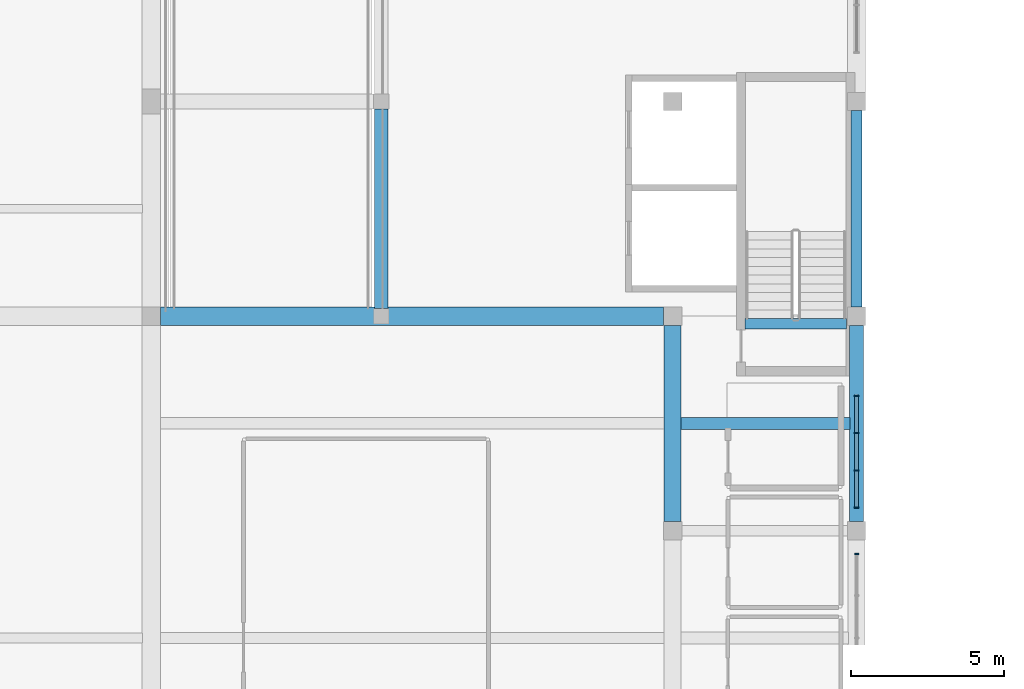
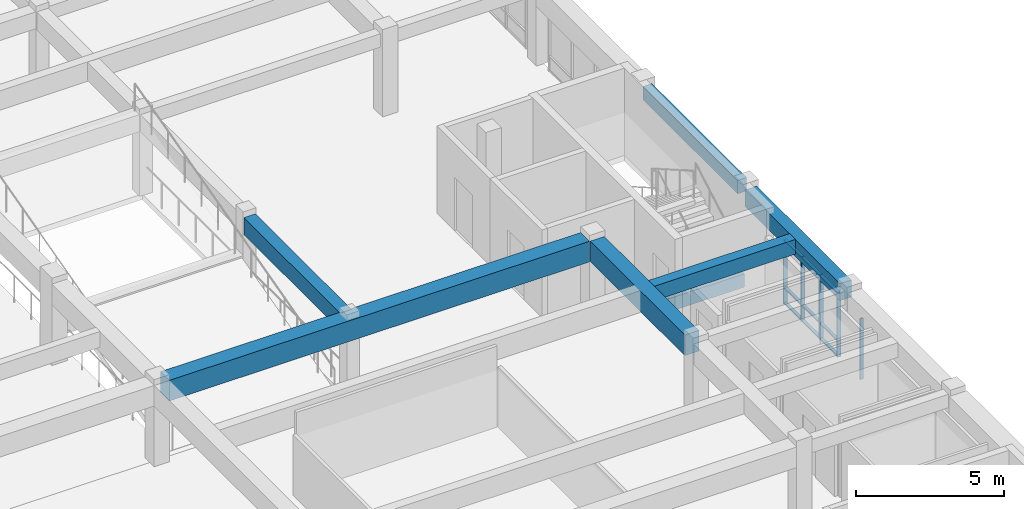
# One storey, part 12 of 33: 14 members, 7 beams, 2 elements without a shape of their own.
"""IFC4 building model written with IfcOpenShell, lengths in metres."""

from ifc_helpers import new_model, si_unit, direction, frame, origin, origin_2d, place, context, subcontext, project, spatial, rectangle, extrude, material, material_profile, profile_set, type_object, element, aggregate, save


model = new_model("IFC4")

# Units and contexts
model_context = context("Model", 3, precision=1e-05, world=origin(), true_north=direction((0.0, 1.0)))
body_context = subcontext(model_context, "Body", "Model", "MODEL_VIEW")
ifc_project = project(units=[si_unit("LENGTHUNIT", "METRE"), si_unit("AREAUNIT", "SQUARE_METRE"), si_unit("VOLUMEUNIT", "CUBIC_METRE"), si_unit("PLANEANGLEUNIT", "RADIAN"), si_unit("MASSUNIT", "GRAM", prefix="KILO")], contexts=[model_context])

# Site, building, storey
site_placement = place(None, origin())
site = spatial("IfcSite", under=ifc_project, at=site_placement, CompositionType="ELEMENT")
building_placement = place(site_placement, origin())
building = spatial("IfcBuilding", under=site, at=building_placement, Name="Larkveld Mobility Hub", CompositionType="ELEMENT")
storey_placement = place(building_placement, frame((0.0, 0.0, 15.60009765625)))
storey = spatial("IfcBuildingStorey", under=building, at=storey_placement, Name="L04", CompositionType="ELEMENT", Elevation=15.60009765625)

# Beams
ifc_material_1 = material(Name="Precast concrete C50/60", Category="concrete")
ifc_material_profile_1 = material_profile(ifc_material_1, rectangle(XDim=0.60009765625, YDim=0.85009765625, at=origin_2d()), Name="PC ITB 600x850")
ifc_profile_set_1 = profile_set([ifc_material_profile_1], Name="Precast concrete C50/60")
beam_type_1 = type_object("IfcBeamType", Name="BM-ITB6085", PredefinedType="T_BEAM", material=ifc_profile_set_1)
beam_1_placement = place(storey_placement, frame((129.300048828125, 56.0, 2.934814453125), z_axis=(1.0, 0.0, 0.0), x_axis=(0.0, 1.0, 0.0)))
element("IfcBeam", 1, at=beam_1_placement, inside=storey, type_object=beam_type_1, Name="Primary E-W Girder L04-0883", PredefinedType="T_BEAM", context=body_context, shape_type="SweptSolid", body=[
    extrude(rectangle(XDim=0.60009765625, YDim=0.85009765625, at=origin_2d()), origin(), (0.0, 0.0, 1.0), 16.39990234375),
])
ifc_material_2 = material(Name="Concrete C40/50", Category="concrete")
ifc_material_profile_2 = material_profile(ifc_material_2, rectangle(XDim=0.35009765625, YDim=0.550048828125, at=origin_2d()), Name="RC BM 350x550")
ifc_profile_set_2 = profile_set([ifc_material_profile_2], Name="Concrete C40/50")
beam_type_2 = type_object("IfcBeamType", Name="BM-RC3555", PredefinedType="BEAM", material=ifc_profile_set_2)
beam_2_placement = place(storey_placement, frame((152.0, 56.300048828125, 3.0849609375), z_axis=(0.0, 1.0, 0.0), x_axis=(-1.0, 0.0, 0.0)))
element("IfcBeam", 2, at=beam_2_placement, inside=storey, type_object=beam_type_2, Name="Primary N-S Girder L04-0937", PredefinedType="BEAM", context=body_context, shape_type="SweptSolid", body=[
    extrude(rectangle(XDim=0.35009765625, YDim=0.550048828125, at=origin_2d()), origin(), (0.0, 0.0, 1.0), 6.39990234375),
])
beam_3_placement = place(storey_placement, frame((148.360107421875, 55.75, -0.27001953125), z_axis=(1.0, 0.0, 0.0), x_axis=(0.0, 1.0, 0.0)))
element("IfcBeam", 3, at=beam_3_placement, inside=storey, type_object=beam_type_2, Name="Core C2 Stair Header Beam L04", PredefinedType="BEAM", context=body_context, shape_type="SweptSolid", body=[
    extrude(rectangle(XDim=0.35009765625, YDim=0.550048828125, at=origin_2d()), origin(), (0.0, 0.0, 1.0), 3.309814453125),
])
ifc_material_profile_3 = material_profile(ifc_material_2, rectangle(XDim=0.39990234375, YDim=0.60009765625, at=origin_2d()), Name="RC BM 400x600")
ifc_profile_set_3 = profile_set([ifc_material_profile_3], Name="Concrete C40/50")
beam_type_3 = type_object("IfcBeamType", Name="BM-RC4060", PredefinedType="BEAM", material=ifc_profile_set_3)
beam_4_placement = place(storey_placement, frame((146.27001953125, 52.5, 3.06982421875), z_axis=(1.0, 0.0, 0.0), x_axis=(0.0, 1.0, 0.0)))
element("IfcBeam", 4, at=beam_4_placement, inside=storey, type_object=beam_type_3, Name="Concourse Spine Joist L04-1136", PredefinedType="BEAM", context=body_context, shape_type="SweptSolid", body=[
    extrude(rectangle(XDim=0.39990234375, YDim=0.60009765625, at=origin_2d()), origin(), (0.0, 0.0, 1.0), 5.510009765625),
])
ifc_material_profile_4 = material_profile(ifc_material_2, rectangle(XDim=0.449951171875, YDim=0.699951171875, at=origin_2d()), Name="RC BM 450x700")
ifc_profile_set_4 = profile_set([ifc_material_profile_4], Name="Concrete C40/50")
beam_type_4 = type_object("IfcBeamType", Name="BM-RC4570", PredefinedType="BEAM", material=ifc_profile_set_4)
beam_5_placement = place(storey_placement, frame((152.0, 49.300048828125, 3.010009765625), z_axis=(0.0, 1.0, 0.0), x_axis=(-1.0, 0.0, 0.0)))
element("IfcBeam", 5, at=beam_5_placement, inside=storey, type_object=beam_type_4, Name="Primary N-S Girder L04-0936", PredefinedType="BEAM", context=body_context, shape_type="SweptSolid", body=[
    extrude(rectangle(XDim=0.449951171875, YDim=0.699951171875, at=origin_2d()), origin(), (0.0, 0.0, 1.0), 6.39990234375),
])
beam_6_placement = place(storey_placement, frame((136.5, 56.25, 3.010009765625), z_axis=(0.0, 1.0, 0.0), x_axis=(-1.0, 0.0, 0.0)))
element("IfcBeam", 6, at=beam_6_placement, inside=storey, type_object=beam_type_4, Name="Ramp Edge Girder L04-0943", PredefinedType="BEAM", context=body_context, shape_type="SweptSolid", body=[
    extrude(rectangle(XDim=0.449951171875, YDim=0.699951171875, at=origin_2d()), origin(), (0.0, 0.0, 1.0), 6.5),
])
ifc_material_profile_5 = material_profile(ifc_material_2, rectangle(XDim=0.550048828125, YDim=0.85009765625, at=origin_2d()), Name="RC BM 550x850")
ifc_profile_set_5 = profile_set([ifc_material_profile_5], Name="Concrete C40/50")
beam_type_5 = type_object("IfcBeamType", Name="BM-RC5585", PredefinedType="BEAM", material=ifc_profile_set_5)
beam_7_placement = place(storey_placement, frame((146.0, 49.300048828125, 2.934814453125), z_axis=(0.0, 1.0, 0.0), x_axis=(-1.0, 0.0, 0.0)))
element("IfcBeam", 7, at=beam_7_placement, inside=storey, type_object=beam_type_5, Name="Primary N-S Girder L04-0927", PredefinedType="BEAM", context=body_context, shape_type="SweptSolid", body=[
    extrude(rectangle(XDim=0.550048828125, YDim=0.85009765625, at=origin_2d()), origin(), (0.0, 0.0, 1.0), 6.39990234375),
])

# Curtain wall, members
ifc_material_3 = material(Name="Anodised aluminium 6063-T6", Category="aluminium")
curtain_wall_type_1 = type_object("IfcCurtainWallType", Name="CW-SYS-01", PredefinedType="NOTDEFINED", material=ifc_material_3)
curtain_wall_1_placement = place(storey_placement, origin())
curtain_wall_1 = element("IfcCurtainWall", 8, at=curtain_wall_1_placement, inside=storey, type_object=curtain_wall_type_1, Name="Upper Mobility and Sports East Glazing L04 CW-157", PredefinedType="NOTDEFINED")
ifc_material_profile_6 = material_profile(ifc_material_3, rectangle(XDim=0.050048828125, YDim=0.14990234375, at=origin_2d()), Name="ALU MULL 50x150")
ifc_profile_set_6 = profile_set([ifc_material_profile_6], Name="Anodised aluminium 6063-T6")
member_type_1 = type_object("IfcMemberType", Name="CW-MUL-01", PredefinedType="MULLION", material=ifc_profile_set_6)
member_1_placement = place(storey_placement, frame((152.0, 49.764892578125, -0.002197265625), z_axis=(0.0, 0.0, 1.0), x_axis=(0.0, 1.0, 0.0)))
member_1 = element("IfcMember", 9, at=member_1_placement, type_object=member_type_1, Name="CW01 mullion 1", PredefinedType="MULLION", context=body_context, shape_type="SweptSolid", body=[
    extrude(rectangle(XDim=0.050048828125, YDim=0.14990234375, at=origin_2d()), origin(), (0.0, 0.0, 1.0), 2.662109375),
])
member_2_placement = place(storey_placement, frame((152.0, 50.967041015625, -0.002197265625), z_axis=(0.0, 0.0, 1.0), x_axis=(0.0, 1.0, 0.0)))
member_2 = element("IfcMember", 10, at=member_2_placement, type_object=member_type_1, Name="CW01 mullion 2", PredefinedType="MULLION", context=body_context, shape_type="SweptSolid", body=[
    extrude(rectangle(XDim=0.050048828125, YDim=0.14990234375, at=origin_2d()), origin(), (0.0, 0.0, 1.0), 2.662109375),
])
member_3_placement = place(storey_placement, frame((152.0, 52.193115234375, -0.002197265625), z_axis=(0.0, 0.0, 1.0), x_axis=(0.0, 1.0, 0.0)))
member_3 = element("IfcMember", 11, at=member_3_placement, type_object=member_type_1, Name="CW01 mullion 3", PredefinedType="MULLION", context=body_context, shape_type="SweptSolid", body=[
    extrude(rectangle(XDim=0.050048828125, YDim=0.14990234375, at=origin_2d()), origin(), (0.0, 0.0, 1.0), 2.662109375),
])
member_4_placement = place(storey_placement, frame((152.0, 53.39501953125, -0.002197265625), z_axis=(0.0, 0.0, 1.0), x_axis=(0.0, 1.0, 0.0)))
member_4 = element("IfcMember", 12, at=member_4_placement, type_object=member_type_1, Name="CW01 mullion 4", PredefinedType="MULLION", context=body_context, shape_type="SweptSolid", body=[
    extrude(rectangle(XDim=0.050048828125, YDim=0.14990234375, at=origin_2d()), origin(), (0.0, 0.0, 1.0), 2.662109375),
])

# Curtain wall, member
curtain_wall_type_2 = type_object("IfcCurtainWallType", Name="CW-SYS-12", PredefinedType="NOTDEFINED", material=ifc_material_3)
curtain_wall_2_placement = place(storey_placement, origin())
curtain_wall_2 = element("IfcCurtainWall", 13, at=curtain_wall_2_placement, inside=storey, type_object=curtain_wall_type_2, Name="Upper Mobility and Sports East Glazing L04 CW-156", PredefinedType="NOTDEFINED")
ifc_material_profile_7 = material_profile(ifc_material_3, rectangle(XDim=0.050048828125, YDim=0.1298828125, at=origin_2d()), Name="ALU MULL 50x130")
ifc_profile_set_7 = profile_set([ifc_material_profile_7], Name="Anodised aluminium 6063-T6")
member_type_2 = type_object("IfcMemberType", Name="CW-MUL-04", PredefinedType="MULLION", material=ifc_profile_set_7)
member_5_placement = place(storey_placement, frame((152.0, 48.235107421875, -0.002197265625), z_axis=(0.0, 0.0, 1.0), x_axis=(0.0, 1.0, 0.0)))
member_5 = element("IfcMember", 14, at=member_5_placement, type_object=member_type_2, Name="CW12 mullion 5", PredefinedType="MULLION", context=body_context, shape_type="SweptSolid", body=[
    extrude(rectangle(XDim=0.050048828125, YDim=0.1298828125, at=origin_2d()), origin(), (0.0, 0.0, 1.0), 2.51220703125),
])
aggregate(curtain_wall_2, [member_5])

# Member
ifc_material_profile_8 = material_profile(ifc_material_3, rectangle(XDim=0.1201171875, YDim=0.050048828125, at=origin_2d()), Name="ALU TRAN 50x120")
ifc_profile_set_8 = profile_set([ifc_material_profile_8], Name="Anodised aluminium 6063-T6")
member_type_3 = type_object("IfcMemberType", Name="CW-TRN-01", PredefinedType="USERDEFINED", material=ifc_profile_set_8)
member_6_placement = place(storey_placement, frame((152.0, 49.77490234375, 0.02978515625), z_axis=(0.0, 1.0, 0.0), x_axis=(-1.0, 0.0, 0.0)))
member_6 = element("IfcMember", 15, at=member_6_placement, type_object=member_type_3, Name="CW01 transom 1.1", ObjectType="TRANSOM", PredefinedType="USERDEFINED", context=body_context, shape_type="SweptSolid", body=[
    extrude(rectangle(XDim=0.1201171875, YDim=0.050048828125, at=origin_2d()), origin(), (0.0, 0.0, 1.0), 1.177001953125),
])

member_7_placement = place(storey_placement, frame((152.0, 49.77490234375, 0.663818359375), z_axis=(0.0, 1.0, 0.0), x_axis=(-1.0, 0.0, 0.0)))
member_7 = element("IfcMember", 16, at=member_7_placement, type_object=member_type_3, Name="CW01 transom 1.2", ObjectType="TRANSOM", PredefinedType="USERDEFINED", context=body_context, shape_type="SweptSolid", body=[
    extrude(rectangle(XDim=0.1201171875, YDim=0.050048828125, at=origin_2d()), origin(), (0.0, 0.0, 1.0), 1.177001953125),
])

member_8_placement = place(storey_placement, frame((152.0, 49.77490234375, 2.6279296875), z_axis=(0.0, 1.0, 0.0), x_axis=(-1.0, 0.0, 0.0)))
member_8 = element("IfcMember", 17, at=member_8_placement, type_object=member_type_3, Name="CW01 transom 1.3", ObjectType="TRANSOM", PredefinedType="USERDEFINED", context=body_context, shape_type="SweptSolid", body=[
    extrude(rectangle(XDim=0.1201171875, YDim=0.050048828125, at=origin_2d()), origin(), (0.0, 0.0, 1.0), 1.177001953125),
])

member_9_placement = place(storey_placement, frame((152.0, 50.98193359375, 0.02978515625), z_axis=(0.0, 1.0, 0.0), x_axis=(-1.0, 0.0, 0.0)))
member_9 = element("IfcMember", 18, at=member_9_placement, type_object=member_type_3, Name="CW01 transom 2.1", ObjectType="TRANSOM", PredefinedType="USERDEFINED", context=body_context, shape_type="SweptSolid", body=[
    extrude(rectangle(XDim=0.1201171875, YDim=0.050048828125, at=origin_2d()), origin(), (0.0, 0.0, 1.0), 1.196044921875),
])

member_10_placement = place(storey_placement, frame((152.0, 50.98193359375, 0.663818359375), z_axis=(0.0, 1.0, 0.0), x_axis=(-1.0, 0.0, 0.0)))
member_10 = element("IfcMember", 19, at=member_10_placement, type_object=member_type_3, Name="CW01 transom 2.2", ObjectType="TRANSOM", PredefinedType="USERDEFINED", context=body_context, shape_type="SweptSolid", body=[
    extrude(rectangle(XDim=0.1201171875, YDim=0.050048828125, at=origin_2d()), origin(), (0.0, 0.0, 1.0), 1.196044921875),
])

member_11_placement = place(storey_placement, frame((152.0, 50.98193359375, 2.6279296875), z_axis=(0.0, 1.0, 0.0), x_axis=(-1.0, 0.0, 0.0)))
member_11 = element("IfcMember", 20, at=member_11_placement, type_object=member_type_3, Name="CW01 transom 2.3", ObjectType="TRANSOM", PredefinedType="USERDEFINED", context=body_context, shape_type="SweptSolid", body=[
    extrude(rectangle(XDim=0.1201171875, YDim=0.050048828125, at=origin_2d()), origin(), (0.0, 0.0, 1.0), 1.196044921875),
])

member_12_placement = place(storey_placement, frame((152.0, 52.2080078125, 0.02978515625), z_axis=(0.0, 1.0, 0.0), x_axis=(-1.0, 0.0, 0.0)))
member_12 = element("IfcMember", 21, at=member_12_placement, type_object=member_type_3, Name="CW01 transom 3.1", ObjectType="TRANSOM", PredefinedType="USERDEFINED", context=body_context, shape_type="SweptSolid", body=[
    extrude(rectangle(XDim=0.1201171875, YDim=0.050048828125, at=origin_2d()), origin(), (0.0, 0.0, 1.0), 1.177001953125),
])

member_13_placement = place(storey_placement, frame((152.0, 52.2080078125, 0.663818359375), z_axis=(0.0, 1.0, 0.0), x_axis=(-1.0, 0.0, 0.0)))
member_13 = element("IfcMember", 22, at=member_13_placement, type_object=member_type_3, Name="CW01 transom 3.2", ObjectType="TRANSOM", PredefinedType="USERDEFINED", context=body_context, shape_type="SweptSolid", body=[
    extrude(rectangle(XDim=0.1201171875, YDim=0.050048828125, at=origin_2d()), origin(), (0.0, 0.0, 1.0), 1.177001953125),
])

member_14_placement = place(storey_placement, frame((152.0, 52.2080078125, 2.6279296875), z_axis=(0.0, 1.0, 0.0), x_axis=(-1.0, 0.0, 0.0)))
member_14 = element("IfcMember", 23, at=member_14_placement, type_object=member_type_3, Name="CW01 transom 3.3", ObjectType="TRANSOM", PredefinedType="USERDEFINED", context=body_context, shape_type="SweptSolid", body=[
    extrude(rectangle(XDim=0.1201171875, YDim=0.050048828125, at=origin_2d()), origin(), (0.0, 0.0, 1.0), 1.177001953125),
])

aggregate(curtain_wall_1, [member_1, member_2, member_3, member_4, member_6, member_7, member_8, member_9, member_10, member_11, member_12, member_13, member_14])

save(model, "model.ifc")
